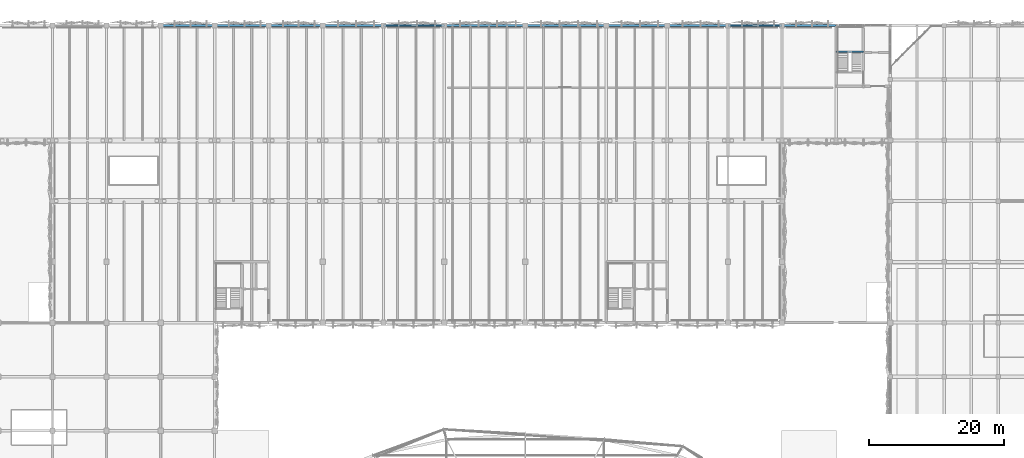
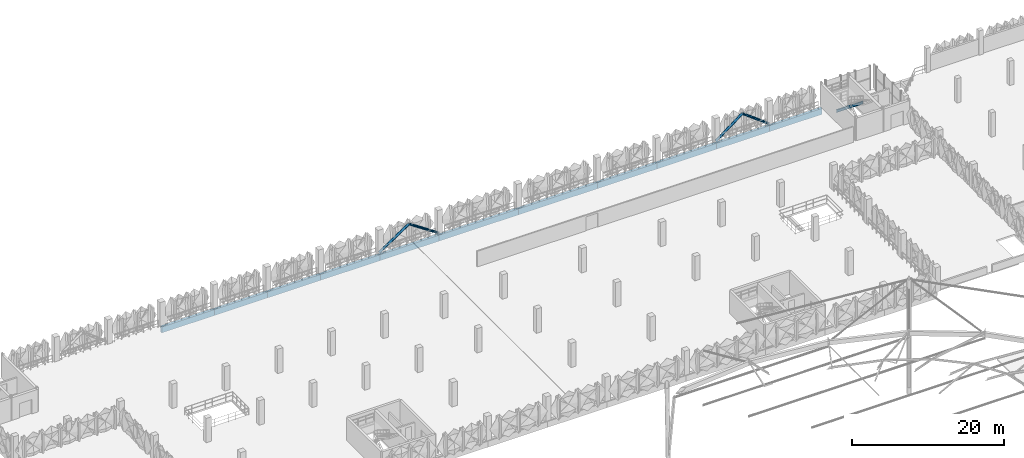
# One storey, part 34 of 96: 12 beams, 4 members.
"""IFC4 building model written with IfcOpenShell, lengths in metres."""

from ifc_helpers import new_model, si_unit, derived_unit, direction, frame, origin, origin_2d, place, context, subcontext, project, spatial, rectangle, hollow_circle, i_section, extrude, material, material_profile, profile_set, type_object, element, save


model = new_model("IFC4")

# Units and contexts
model_context = context("Model", 3, precision=1e-05, world=origin(), true_north=direction((0.0, 1.0)))
body_context = subcontext(model_context, "Body", "Model", "MODEL_VIEW")
ifc_project = project(units=[si_unit("LENGTHUNIT", "METRE"), si_unit("AREAUNIT", "SQUARE_METRE"), si_unit("VOLUMEUNIT", "CUBIC_METRE"), si_unit("PLANEANGLEUNIT", "RADIAN"), si_unit("MASSUNIT", "GRAM", prefix="KILO"), si_unit("THERMODYNAMICTEMPERATUREUNIT", "KELVIN"), derived_unit("THERMALTRANSMITTANCEUNIT", [(si_unit("POWERUNIT", "WATT"), 1), (si_unit("AREAUNIT", "SQUARE_METRE"), -1), (si_unit("THERMODYNAMICTEMPERATUREUNIT", "KELVIN"), -1)])], contexts=[model_context])

# Site, building, storey
site_placement = place(None, origin())
site = spatial("IfcSite", under=ifc_project, at=site_placement, CompositionType="ELEMENT")
building_placement = place(site_placement, origin())
building = spatial("IfcBuilding", under=site, at=building_placement, Name="Haiyu Intermodal Mobility Hub", CompositionType="ELEMENT")
storey_placement = place(building_placement, frame((0.0, 0.0, 9.5)))
storey = spatial("IfcBuildingStorey", under=building, at=storey_placement, Name="L02", CompositionType="ELEMENT", Elevation=9.5)

# Beams
ifc_material_1 = material(Name="Steel Q355C", Category="steel")
ifc_material_profile_1 = material_profile(ifc_material_1, i_section(OverallWidth=0.199951171875, OverallDepth=0.39990234375, WebThickness=0.008056640625, FlangeThickness=0.012939453125, FilletRadius=0.01611328125, at=origin_2d()), Name="HN400x200x8x13")
ifc_profile_set_1 = profile_set([ifc_material_profile_1], Name="Steel Q355C")
beam_type_1 = type_object("IfcBeamType", Name="BM-SB08", PredefinedType="JOIST", material=ifc_profile_set_1)
beam_placement = place(storey_placement, frame((154.0, 144.1298828125, 1.52490234375), z_axis=(1.0, 0.0, 0.0), x_axis=(0.0, 1.0, 0.0)))
element("IfcBeam", 1, at=beam_placement, inside=storey, type_object=beam_type_1, Name="Stair Half-Landing Front Beam C4-L02", PredefinedType="JOIST", context=body_context, shape_type="SweptSolid", body=[
    extrude(i_section(OverallWidth=0.199951171875, OverallDepth=0.39990234375, WebThickness=0.008056640625, FlangeThickness=0.012939453125, FilletRadius=0.01611328125, at=origin_2d()), origin(), (0.0, 0.0, 1.0), 4.050048828125),
])
ifc_material_2 = material(Name="Precast concrete C40", Category="concrete")
ifc_material_profile_2 = material_profile(ifc_material_2, rectangle(XDim=0.35009765625, YDim=0.949951171875, at=origin_2d()), Name="PC350x950")
ifc_profile_set_2 = profile_set([ifc_material_profile_2], Name="Precast concrete C40")
beam_type_2 = type_object("IfcBeamType", Name="BM-SP01", PredefinedType="SPANDREL", material=ifc_profile_set_2)
for number, where, z_axis, x_axis, name in (
    (2, (54.0, 148.0, -0.75), (1.0, 0.0, 0.0), (0.0, 1.0, 0.0), "BM-V4G-L02-045"),
    (3, (62.0, 148.0, -0.75), (1.0, 0.0, 0.0), (0.0, 1.0, 0.0), "BM-V4G-L02-046"),
    (4, (70.0, 148.0, -0.75), (1.0, 0.0, 0.0), (0.0, 1.0, 0.0), "BM-V4G-L02-047"),
):
    element("IfcBeam", number, at=place(storey_placement, frame(where, z_axis=z_axis, x_axis=x_axis)), inside=storey, type_object=beam_type_2, Name=name, PredefinedType="SPANDREL", context=body_context, shape_type="SweptSolid", body=[
        extrude(rectangle(XDim=0.35009765625, YDim=0.949951171875, at=origin_2d()), origin(), (0.0, 0.0, 1.0), 8.0),
    ])
for number, where, z_axis, x_axis, name in (
    (5, (78.0, 148.0, -0.75), (1.0, 0.0, 0.0), (0.0, 1.0, 0.0), "BM-V4G-L02-048"),
    (6, (87.0, 148.0, -0.75), (1.0, 0.0, 0.0), (0.0, 1.0, 0.0), "BM-V4G-L02-049"),
):
    element("IfcBeam", number, at=place(storey_placement, frame(where, z_axis=z_axis, x_axis=x_axis)), inside=storey, type_object=beam_type_2, Name=name, PredefinedType="SPANDREL", context=body_context, shape_type="SweptSolid", body=[
        extrude(rectangle(XDim=0.35009765625, YDim=0.949951171875, at=origin_2d()), origin(), (0.0, 0.0, 1.0), 9.0),
    ])
for number, where, z_axis, x_axis, name in (
    (7, (96.0, 148.0, -0.75), (1.0, 0.0, 0.0), (0.0, 1.0, 0.0), "BM-V4G-L02-050"),
    (8, (108.0, 148.0, -0.75), (1.0, 0.0, 0.0), (0.0, 1.0, 0.0), "BM-V4G-L02-051"),
):
    element("IfcBeam", number, at=place(storey_placement, frame(where, z_axis=z_axis, x_axis=x_axis)), inside=storey, type_object=beam_type_2, Name=name, PredefinedType="SPANDREL", context=body_context, shape_type="SweptSolid", body=[
        extrude(rectangle(XDim=0.35009765625, YDim=0.949951171875, at=origin_2d()), origin(), (0.0, 0.0, 1.0), 12.0),
    ])
for number, where, z_axis, x_axis, name in (
    (9, (120.0, 148.0, -0.75), (1.0, 0.0, 0.0), (0.0, 1.0, 0.0), "BM-V4G-L02-052"),
    (10, (129.0, 148.0, -0.75), (1.0, 0.0, 0.0), (0.0, 1.0, 0.0), "BM-V4G-L02-053"),
):
    element("IfcBeam", number, at=place(storey_placement, frame(where, z_axis=z_axis, x_axis=x_axis)), inside=storey, type_object=beam_type_2, Name=name, PredefinedType="SPANDREL", context=body_context, shape_type="SweptSolid", body=[
        extrude(rectangle(XDim=0.35009765625, YDim=0.949951171875, at=origin_2d()), origin(), (0.0, 0.0, 1.0), 9.0),
    ])
for number, where, z_axis, x_axis, name in (
    (11, (138.0, 148.0, -0.75), (1.0, 0.0, 0.0), (0.0, 1.0, 0.0), "BM-V4G-L02-054"),
    (12, (146.0, 148.0, -0.75), (1.0, 0.0, 0.0), (0.0, 1.0, 0.0), "BM-V4G-L02-055"),
):
    element("IfcBeam", number, at=place(storey_placement, frame(where, z_axis=z_axis, x_axis=x_axis)), inside=storey, type_object=beam_type_2, Name=name, PredefinedType="SPANDREL", context=body_context, shape_type="SweptSolid", body=[
        extrude(rectangle(XDim=0.35009765625, YDim=0.949951171875, at=origin_2d()), origin(), (0.0, 0.0, 1.0), 8.0),
    ])

# Members
ifc_material_profile_3 = material_profile(ifc_material_1, hollow_circle(Radius=0.177978515625, WallThickness=0.011962890625, at=origin_2d()), Name="CHS356x12")
ifc_profile_set_3 = profile_set([ifc_material_profile_3], Name="Steel Q355C")
member_type = type_object("IfcMemberType", Name="MEM-BR01", PredefinedType="BRACE", material=ifc_profile_set_3)
for number, where, z_axis, x_axis, name in (
    (13, (87.0, 148.0, 0.0), (0.832050294338, 0.0, 0.554700196225), (0.0, 1.0, 0.0), "Seismic Chevron Brace B2-L02-A"),
    (14, (96.0, 148.0, 0.0), (-0.832050294338, 0.0, 0.554700196225), (0.0, -1.0, 0.0), "Seismic Chevron Brace B2-L02-B"),
):
    element("IfcMember", number, at=place(storey_placement, frame(where, z_axis=z_axis, x_axis=x_axis)), inside=storey, type_object=member_type, Name=name, PredefinedType="BRACE", context=body_context, shape_type="SweptSolid", body=[
        extrude(hollow_circle(Radius=0.177978515625, WallThickness=0.011962890625, at=origin_2d()), origin(), (0.0, 0.0, 1.0), 5.408447265625),
    ])
for number, where, z_axis, x_axis, name in (
    (15, (138.0, 148.0, 0.0), (0.8, 0.0, 0.6), (0.0, 1.0, 0.0), "Seismic Chevron Brace B3-L02-A"),
    (16, (146.0, 148.0, 0.0), (-0.8, 0.0, 0.6), (0.0, -1.0, 0.0), "Seismic Chevron Brace B3-L02-B"),
):
    element("IfcMember", number, at=place(storey_placement, frame(where, z_axis=z_axis, x_axis=x_axis)), inside=storey, type_object=member_type, Name=name, PredefinedType="BRACE", context=body_context, shape_type="SweptSolid", body=[
        extrude(hollow_circle(Radius=0.177978515625, WallThickness=0.011962890625, at=origin_2d()), origin(), (0.0, 0.0, 1.0), 5.0),
    ])

save(model, "model.ifc")
